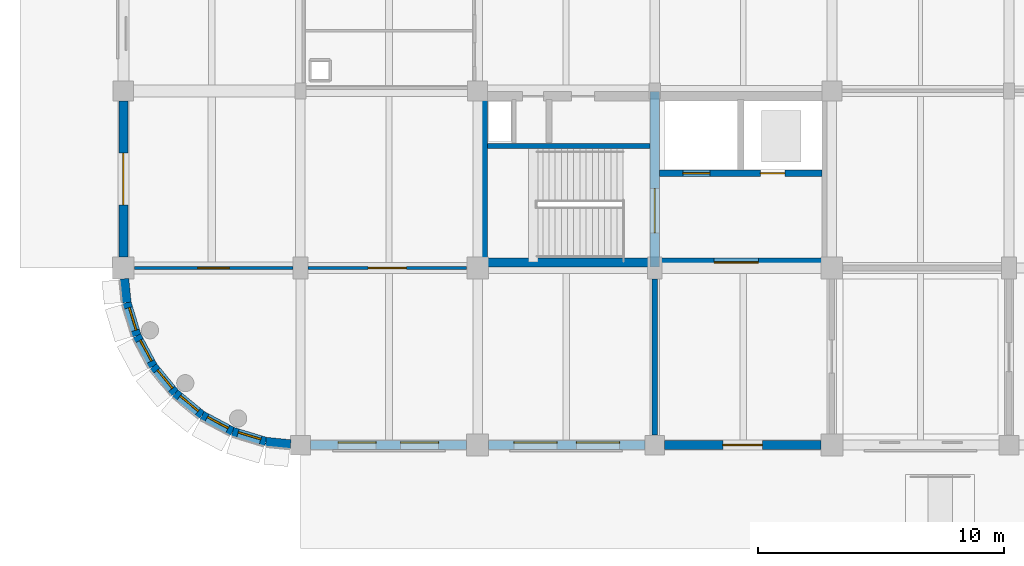
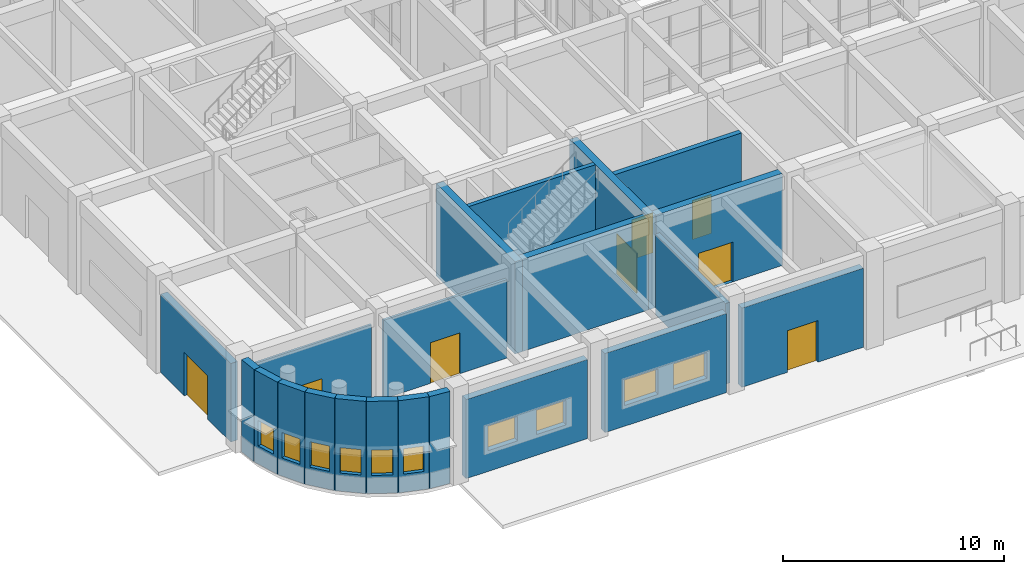
# One storey, part 133 of 160: 21 walls, 10 windows, 8 doors, 18 openings.
"""IFC4 building model written with IfcOpenShell, lengths in metres."""

from ifc_helpers import new_model, si_unit, direction, frame, frame_2d, origin, place, context, subcontext, project, spatial, rectangle, extrude, material, layer, layer_set, type_object, element, fill, save


model = new_model("IFC4")

# Units and contexts
model_context = context("Model", 3, precision=1e-05, world=origin(), true_north=direction((0.0, 1.0)))
body_context = subcontext(model_context, "Body", "Model", "MODEL_VIEW")
ifc_project = project(units=[si_unit("LENGTHUNIT", "METRE"), si_unit("AREAUNIT", "SQUARE_METRE"), si_unit("VOLUMEUNIT", "CUBIC_METRE"), si_unit("PLANEANGLEUNIT", "RADIAN"), si_unit("MASSUNIT", "GRAM", prefix="KILO")], contexts=[model_context])

# Site, building, storey
site_placement = place(None, origin())
site = spatial("IfcSite", under=ifc_project, at=site_placement, CompositionType="ELEMENT")
building_placement = place(site_placement, origin())
building = spatial("IfcBuilding", under=site, at=building_placement, Name="Thalmaran Polytechnic", CompositionType="ELEMENT")
storey_placement = place(building_placement, origin())
storey = spatial("IfcBuildingStorey", under=building, at=storey_placement, Name="L00", CompositionType="ELEMENT", Elevation=0.0)

# Wall
ifc_material_1 = material(Name="Precast concrete C40/50", Category="concrete")
ifc_layer_1 = layer(ifc_material_1, 0.360107421875, Name="Precast concrete C40/50")
ifc_layer_set_1 = layer_set([ifc_layer_1], Name="Precast concrete C40/50")
wall_type_1 = type_object("IfcWallType", Name="WL-EW01", PredefinedType="STANDARD", material=ifc_layer_set_1)
wall_1_placement = place(storey_placement, frame((0.138427734375, 5.79541015625, 0.0), z_axis=(0.0, 0.0, 1.0), x_axis=(-0.098010679686, 0.995185362969, 0.0)))
element("IfcWall", 1, at=wall_1_placement, inside=storey, type_object=wall_type_1, Name="Exterior Precast Facade Wall L00-001", PredefinedType="STANDARD", context=body_context, shape_type="SweptSolid", body=[
    extrude(rectangle(XDim=0.971435546875, YDim=0.360107421875, at=frame_2d((0.48583984375, 0.0))), origin(), (0.0, 0.0, 1.0), 5.090087890625),
])

# Wall, opening, door
wall_2_placement = place(storey_placement, frame((0.0, 7.639892578125, 0.0), z_axis=(0.0, 0.0, 1.0), x_axis=(0.0, 1.0, 0.0)))
wall_2 = element("IfcWall", 2, at=wall_2_placement, inside=storey, type_object=wall_type_1, Name="Ground Entrance Portal Wall L00-002", PredefinedType="STANDARD", context=body_context, shape_type="SweptSolid", body=[
    extrude(rectangle(XDim=6.35009765625, YDim=0.360107421875, at=frame_2d((3.175048828125, 0.0))), origin(), (0.0, 0.0, 1.0), 4.3349609375),
])
opening_1_placement = place(wall_2_placement, frame((2.125, 0.0, 0.0)))
opening_1 = element("IfcOpeningElement", 3, at=opening_1_placement, cuts=wall_2, Name="Opening ED-01", PredefinedType="OPENING", context=body_context, shape_type="SweptSolid", body=[
    extrude(rectangle(XDim=2.10009765625, YDim=2.39990234375, at=frame_2d((1.050048828125, 1.199951171875))), frame((0.0, 0.18994140625, 0.0), z_axis=(0.0, -1.0, 0.0), x_axis=(1.0, 0.0, 0.0)), (0.0, 0.0, 1.0), 0.380126953125),
])
ifc_material_2 = material(Name="Anodised aluminium and safety glass", Category="aluminium")
door_type_1 = type_object("IfcDoorType", Name="DR-ED01", OperationType="NOTDEFINED", PredefinedType="DOOR", material=ifc_material_2)
door_1_placement = place(opening_1_placement, origin())
door_1 = element("IfcDoor", 4, at=door_1_placement, inside=storey, type_object=door_type_1, Name="Pedestrian Final Exit Door ED-01", OperationType="DOUBLE_DOOR_SINGLE_SWING", OverallHeight=2.39990234375, OverallWidth=2.10009765625, PredefinedType="DOOR", context=body_context, shape_type="SweptSolid", body=[
    extrude(rectangle(XDim=2.10009765625, YDim=2.39990234375, at=frame_2d((1.050048828125, 1.199951171875))), frame((0.0, 0.02490234375, 0.0), z_axis=(0.0, -1.0, 0.0), x_axis=(1.0, 0.0, 0.0)), (0.0, 0.0, 1.0), 0.050048828125),
])
fill(opening_1, door_1)

wall_3_placement = place(storey_placement, frame((28.35009765625, 0.0, 0.0), z_axis=(0.0, 0.0, 1.0), x_axis=(-1.0, 0.0, 0.0)))
wall_3 = element("IfcWall", 5, at=wall_3_placement, inside=storey, type_object=wall_type_1, Name="Ground Entrance Portal Wall L00-089", PredefinedType="STANDARD", context=body_context, shape_type="SweptSolid", body=[
    extrude(rectangle(XDim=6.35009765625, YDim=0.360107421875, at=frame_2d((3.175048828125, 0.0))), origin(), (0.0, 0.0, 1.0), 4.3701171875),
])
opening_2_placement = place(wall_3_placement, frame((2.375, 0.0, 0.0)))
opening_2 = element("IfcOpeningElement", 6, at=opening_2_placement, cuts=wall_3, Name="Opening ED-27", PredefinedType="OPENING", context=body_context, shape_type="SweptSolid", body=[
    extrude(rectangle(XDim=1.60009765625, YDim=2.300048828125, at=frame_2d((0.800048828125, 1.14990234375))), frame((0.0, 0.18994140625, 0.0), z_axis=(0.0, -1.0, 0.0), x_axis=(1.0, 0.0, 0.0)), (0.0, 0.0, 1.0), 0.380126953125),
])
ifc_material_3 = material(Name="Powder-coated steel", Category="steel")
door_type_2 = type_object("IfcDoorType", Name="DR-ED03", OperationType="NOTDEFINED", PredefinedType="DOOR", material=ifc_material_3)
door_2_placement = place(opening_2_placement, origin())
door_2 = element("IfcDoor", 7, at=door_2_placement, inside=storey, type_object=door_type_2, Name="Pedestrian Final Exit Door ED-27", OperationType="DOUBLE_DOOR_SINGLE_SWING", OverallHeight=2.300048828125, OverallWidth=1.60009765625, PredefinedType="DOOR", context=body_context, shape_type="SweptSolid", body=[
    extrude(rectangle(XDim=1.60009765625, YDim=2.300048828125, at=frame_2d((0.800048828125, 1.14990234375))), frame((0.0, 0.02490234375, 0.0), z_axis=(0.0, -1.0, 0.0), x_axis=(1.0, 0.0, 0.0)), (0.0, 0.0, 1.0), 0.050048828125),
])
fill(opening_2, door_2)

# Wall, openings, windows
wall_4_placement = place(storey_placement, frame((21.199951171875, 0.0, 0.0), z_axis=(0.0, 0.0, 1.0), x_axis=(-1.0, 0.0, 0.0)))
wall_4 = element("IfcWall", 8, at=wall_4_placement, inside=storey, type_object=wall_type_1, Name="Exterior Precast Facade Wall L00-090", PredefinedType="STANDARD", context=body_context, shape_type="SweptSolid", body=[
    extrude(rectangle(XDim=6.349853515625, YDim=0.360107421875, at=frame_2d((3.1748046875, 0.0))), origin(), (0.0, 0.0, 1.0), 4.3701171875),
])
opening_3_placement = place(wall_4_placement, frame((1.030029296875, 0.0, 1.14990234375)))
opening_3 = element("IfcOpeningElement", 9, at=opening_3_placement, cuts=wall_4, Name="Opening VW08", PredefinedType="OPENING", context=body_context, shape_type="SweptSolid", body=[
    extrude(rectangle(XDim=1.75, YDim=1.39990234375, at=frame_2d((0.875, 0.699951171875))), frame((0.0, 0.18994140625, 0.0), z_axis=(0.0, -1.0, 0.0), x_axis=(1.0, 0.0, 0.0)), (0.0, 0.0, 1.0), 0.380126953125),
])
opening_4_placement = place(wall_4_placement, frame((3.570068359375, 0.0, 1.14990234375)))
opening_4 = element("IfcOpeningElement", 10, at=opening_4_placement, cuts=wall_4, Name="Opening VW08", PredefinedType="OPENING", context=body_context, shape_type="SweptSolid", body=[
    extrude(rectangle(XDim=1.75, YDim=1.39990234375, at=frame_2d((0.875, 0.699951171875))), frame((0.0, 0.18994140625, 0.0), z_axis=(0.0, -1.0, 0.0), x_axis=(1.0, 0.0, 0.0)), (0.0, 0.0, 1.0), 0.380126953125),
])
ifc_material_4 = material(Name="Thermally broken aluminium and double low-E glass", Category="aluminium")
window_type_1 = type_object("IfcWindowType", Name="WN-VZ08", PartitioningType="SINGLE_PANEL", PredefinedType="WINDOW", material=ifc_material_4)
window_1_placement = place(opening_3_placement, origin())
window_1 = element("IfcWindow", 11, at=window_1_placement, inside=storey, type_object=window_type_1, Name="Deep-Set Solar-Screened Window W-0056", OverallHeight=1.39990234375, OverallWidth=1.75, PartitioningType="SINGLE_PANEL", PredefinedType="WINDOW", context=body_context, shape_type="SweptSolid", body=[
    extrude(rectangle(XDim=1.75, YDim=1.39990234375, at=frame_2d((0.875, 0.699951171875))), frame((0.0, -0.080078125, 0.0), z_axis=(0.0, -1.0, 0.0), x_axis=(1.0, 0.0, 0.0)), (0.0, 0.0, 1.0), 0.06005859375),
])
fill(opening_3, window_1)
window_2_placement = place(opening_4_placement, origin())
window_2 = element("IfcWindow", 12, at=window_2_placement, inside=storey, type_object=window_type_1, Name="Deep-Set Solar-Screened Window W-0057", OverallHeight=1.39990234375, OverallWidth=1.75, PartitioningType="SINGLE_PANEL", PredefinedType="WINDOW", context=body_context, shape_type="SweptSolid", body=[
    extrude(rectangle(XDim=1.75, YDim=1.39990234375, at=frame_2d((0.875, 0.699951171875))), frame((0.0, -0.080078125, 0.0), z_axis=(0.0, -1.0, 0.0), x_axis=(1.0, 0.0, 0.0)), (0.0, 0.0, 1.0), 0.06005859375),
])
fill(opening_4, window_2)

wall_5_placement = place(storey_placement, frame((13.949951171875, 0.0, 0.0), z_axis=(0.0, 0.0, 1.0), x_axis=(-1.0, 0.0, 0.0)))
wall_5 = element("IfcWall", 13, at=wall_5_placement, inside=storey, type_object=wall_type_1, Name="Exterior Precast Facade Wall L00-091", PredefinedType="STANDARD", context=body_context, shape_type="SweptSolid", body=[
    extrude(rectangle(XDim=6.349853515625, YDim=0.360107421875, at=frame_2d((3.1748046875, 0.0))), origin(), (0.0, 0.0, 1.0), 4.3701171875),
])
opening_5_placement = place(wall_5_placement, frame((1.1298828125, 0.0, 1.14990234375)))
opening_5 = element("IfcOpeningElement", 14, at=opening_5_placement, cuts=wall_5, Name="Opening VW09", PredefinedType="OPENING", context=body_context, shape_type="SweptSolid", body=[
    extrude(rectangle(XDim=1.550048828125, YDim=1.35009765625, at=frame_2d((0.77490234375, 0.675048828125))), frame((0.0, 0.18994140625, 0.0), z_axis=(0.0, -1.0, 0.0), x_axis=(1.0, 0.0, 0.0)), (0.0, 0.0, 1.0), 0.380126953125),
])
opening_6_placement = place(wall_5_placement, frame((3.669921875, 0.0, 1.14990234375)))
opening_6 = element("IfcOpeningElement", 15, at=opening_6_placement, cuts=wall_5, Name="Opening VW09", PredefinedType="OPENING", context=body_context, shape_type="SweptSolid", body=[
    extrude(rectangle(XDim=1.550048828125, YDim=1.35009765625, at=frame_2d((0.77490234375, 0.675048828125))), frame((0.0, 0.18994140625, 0.0), z_axis=(0.0, -1.0, 0.0), x_axis=(1.0, 0.0, 0.0)), (0.0, 0.0, 1.0), 0.380126953125),
])
window_type_2 = type_object("IfcWindowType", Name="WN-VZ09", PartitioningType="SINGLE_PANEL", PredefinedType="WINDOW", material=ifc_material_4)
window_3_placement = place(opening_5_placement, origin())
window_3 = element("IfcWindow", 16, at=window_3_placement, inside=storey, type_object=window_type_2, Name="Deep-Set Solar-Screened Window W-0058", OverallHeight=1.35009765625, OverallWidth=1.550048828125, PartitioningType="SINGLE_PANEL", PredefinedType="WINDOW", context=body_context, shape_type="SweptSolid", body=[
    extrude(rectangle(XDim=1.550048828125, YDim=1.35009765625, at=frame_2d((0.77490234375, 0.675048828125))), frame((0.0, -0.080078125, 0.0), z_axis=(0.0, -1.0, 0.0), x_axis=(1.0, 0.0, 0.0)), (0.0, 0.0, 1.0), 0.06005859375),
])
fill(opening_5, window_3)
window_4_placement = place(opening_6_placement, origin())
window_4 = element("IfcWindow", 17, at=window_4_placement, inside=storey, type_object=window_type_2, Name="Deep-Set Solar-Screened Window W-0059", OverallHeight=1.35009765625, OverallWidth=1.550048828125, PartitioningType="SINGLE_PANEL", PredefinedType="WINDOW", context=body_context, shape_type="SweptSolid", body=[
    extrude(rectangle(XDim=1.550048828125, YDim=1.35009765625, at=frame_2d((0.77490234375, 0.675048828125))), frame((0.0, -0.080078125, 0.0), z_axis=(0.0, -1.0, 0.0), x_axis=(1.0, 0.0, 0.0)), (0.0, 0.0, 1.0), 0.06005859375),
])
fill(opening_6, window_4)

# Wall
wall_6_placement = place(storey_placement, frame((6.802001953125, 0.039306640625, 0.0), z_axis=(0.0, 0.0, 1.0), x_axis=(-0.9951866114, 0.097998002481, 0.0)))
element("IfcWall", 18, at=wall_6_placement, inside=storey, type_object=wall_type_1, Name="Exterior Precast Facade Wall L00-092", PredefinedType="STANDARD", context=body_context, shape_type="SweptSolid", body=[
    extrude(rectangle(XDim=1.011474609375, YDim=0.360107421875, at=frame_2d((0.505859375, 0.0))), origin(), (0.0, 0.0, 1.0), 5.090087890625),
])

# Wall, opening, window
wall_7_placement = place(storey_placement, frame((5.79541015625, 0.138427734375, 0.0), z_axis=(0.0, 0.0, 1.0), x_axis=(-0.95696037757, 0.290218599957, 0.0)))
wall_7 = element("IfcWall", 19, at=wall_7_placement, inside=storey, type_object=wall_type_1, Name="Exterior Precast Facade Wall L00-093", PredefinedType="STANDARD", context=body_context, shape_type="SweptSolid", body=[
    extrude(rectangle(XDim=1.41162109375, YDim=0.360107421875, at=frame_2d((0.705810546875, 0.0))), origin(), (0.0, 0.0, 1.0), 5.090087890625),
])
opening_7_placement = place(wall_7_placement, frame((0.2255859375, 0.0, 1.0)))
opening_7 = element("IfcOpeningElement", 20, at=opening_7_placement, cuts=wall_7, Name="Opening CR01", PredefinedType="OPENING", context=body_context, shape_type="SweptSolid", body=[
    extrude(rectangle(XDim=0.9599609375, YDim=1.39990234375, at=frame_2d((0.47998046875, 0.699951171875))), frame((0.0, 0.18994140625, 0.0), z_axis=(0.0, -1.0, 0.0), x_axis=(1.0, 0.0, 0.0)), (0.0, 0.0, 1.0), 0.380126953125),
])
window_type_3 = type_object("IfcWindowType", Name="WN-CR01", PartitioningType="SINGLE_PANEL", PredefinedType="WINDOW", material=ifc_material_4)
window_5_placement = place(opening_7_placement, origin())
window_5 = element("IfcWindow", 21, at=window_5_placement, inside=storey, type_object=window_type_3, Name="Curved Prow Ribbon Window W-0060", OverallHeight=1.39990234375, OverallWidth=0.9599609375, PartitioningType="SINGLE_PANEL", PredefinedType="WINDOW", context=body_context, shape_type="SweptSolid", body=[
    extrude(rectangle(XDim=0.9599609375, YDim=1.39990234375, at=frame_2d((0.47998046875, 0.699951171875))), frame((0.0, -0.010009765625, 0.0), z_axis=(0.0, -1.0, 0.0), x_axis=(1.0, 0.0, 0.0)), (0.0, 0.0, 1.0), 0.06005859375),
])
fill(opening_7, window_5)

wall_8_placement = place(storey_placement, frame((4.444580078125, 0.548095703125, 0.0), z_axis=(0.0, 0.0, 1.0), x_axis=(-0.881916788861, 0.471405109778, 0.0)))
wall_8 = element("IfcWall", 22, at=wall_8_placement, inside=storey, type_object=wall_type_1, Name="Exterior Precast Facade Wall L00-094", PredefinedType="STANDARD", context=body_context, shape_type="SweptSolid", body=[
    extrude(rectangle(XDim=1.411376953125, YDim=0.360107421875, at=frame_2d((0.70556640625, 0.0))), origin(), (0.0, 0.0, 1.0), 5.090087890625),
])
opening_8_placement = place(wall_8_placement, frame((0.2255859375, 0.0, 1.0)))
opening_8 = element("IfcOpeningElement", 23, at=opening_8_placement, cuts=wall_8, Name="Opening CR01", PredefinedType="OPENING", context=body_context, shape_type="SweptSolid", body=[
    extrude(rectangle(XDim=0.9599609375, YDim=1.39990234375, at=frame_2d((0.47998046875, 0.699951171875))), frame((0.0, 0.18994140625, 0.0), z_axis=(0.0, -1.0, 0.0), x_axis=(1.0, 0.0, 0.0)), (0.0, 0.0, 1.0), 0.380126953125),
])
window_6_placement = place(opening_8_placement, origin())
window_6 = element("IfcWindow", 24, at=window_6_placement, inside=storey, type_object=window_type_3, Name="Curved Prow Ribbon Window W-0061", OverallHeight=1.39990234375, OverallWidth=0.9599609375, PartitioningType="SINGLE_PANEL", PredefinedType="WINDOW", context=body_context, shape_type="SweptSolid", body=[
    extrude(rectangle(XDim=0.9599609375, YDim=1.39990234375, at=frame_2d((0.47998046875, 0.699951171875))), frame((0.0, -0.010009765625, 0.0), z_axis=(0.0, -1.0, 0.0), x_axis=(1.0, 0.0, 0.0)), (0.0, 0.0, 1.0), 0.06005859375),
])
fill(opening_8, window_6)

wall_9_placement = place(storey_placement, frame((3.199951171875, 1.21337890625, 0.0), z_axis=(0.0, 0.0, 1.0), x_axis=(-0.772977670605, 0.634433227965, 0.0)))
wall_9 = element("IfcWall", 25, at=wall_9_placement, inside=storey, type_object=wall_type_1, Name="Exterior Precast Facade Wall L00-095", PredefinedType="STANDARD", context=body_context, shape_type="SweptSolid", body=[
    extrude(rectangle(XDim=1.41162109375, YDim=0.360107421875, at=frame_2d((0.705810546875, 0.0))), origin(), (0.0, 0.0, 1.0), 5.090087890625),
])
opening_9_placement = place(wall_9_placement, frame((0.2255859375, 0.0, 1.0)))
opening_9 = element("IfcOpeningElement", 26, at=opening_9_placement, cuts=wall_9, Name="Opening CR01", PredefinedType="OPENING", context=body_context, shape_type="SweptSolid", body=[
    extrude(rectangle(XDim=0.9599609375, YDim=1.39990234375, at=frame_2d((0.47998046875, 0.699951171875))), frame((0.0, 0.18994140625, 0.0), z_axis=(0.0, -1.0, 0.0), x_axis=(1.0, 0.0, 0.0)), (0.0, 0.0, 1.0), 0.380126953125),
])
window_7_placement = place(opening_9_placement, origin())
window_7 = element("IfcWindow", 27, at=window_7_placement, inside=storey, type_object=window_type_3, Name="Curved Prow Ribbon Window W-0062", OverallHeight=1.39990234375, OverallWidth=0.9599609375, PartitioningType="SINGLE_PANEL", PredefinedType="WINDOW", context=body_context, shape_type="SweptSolid", body=[
    extrude(rectangle(XDim=0.9599609375, YDim=1.39990234375, at=frame_2d((0.47998046875, 0.699951171875))), frame((0.0, -0.010009765625, 0.0), z_axis=(0.0, -1.0, 0.0), x_axis=(1.0, 0.0, 0.0)), (0.0, 0.0, 1.0), 0.06005859375),
])
fill(opening_9, window_7)

wall_10_placement = place(storey_placement, frame((2.10888671875, 2.10888671875, 0.0), z_axis=(0.0, 0.0, 1.0), x_axis=(-0.634433227965, 0.772977670605, 0.0)))
wall_10 = element("IfcWall", 28, at=wall_10_placement, inside=storey, type_object=wall_type_1, Name="Exterior Precast Facade Wall L00-096", PredefinedType="STANDARD", context=body_context, shape_type="SweptSolid", body=[
    extrude(rectangle(XDim=1.41162109375, YDim=0.360107421875, at=frame_2d((0.705810546875, 0.0))), origin(), (0.0, 0.0, 1.0), 5.090087890625),
])
opening_10_placement = place(wall_10_placement, frame((0.2255859375, 0.0, 1.0)))
opening_10 = element("IfcOpeningElement", 29, at=opening_10_placement, cuts=wall_10, Name="Opening CR01", PredefinedType="OPENING", context=body_context, shape_type="SweptSolid", body=[
    extrude(rectangle(XDim=0.9599609375, YDim=1.39990234375, at=frame_2d((0.47998046875, 0.699951171875))), frame((0.0, 0.18994140625, 0.0), z_axis=(0.0, -1.0, 0.0), x_axis=(1.0, 0.0, 0.0)), (0.0, 0.0, 1.0), 0.380126953125),
])
window_8_placement = place(opening_10_placement, origin())
window_8 = element("IfcWindow", 30, at=window_8_placement, inside=storey, type_object=window_type_3, Name="Curved Prow Ribbon Window W-0063", OverallHeight=1.39990234375, OverallWidth=0.9599609375, PartitioningType="SINGLE_PANEL", PredefinedType="WINDOW", context=body_context, shape_type="SweptSolid", body=[
    extrude(rectangle(XDim=0.9599609375, YDim=1.39990234375, at=frame_2d((0.47998046875, 0.699951171875))), frame((0.0, -0.010009765625, 0.0), z_axis=(0.0, -1.0, 0.0), x_axis=(1.0, 0.0, 0.0)), (0.0, 0.0, 1.0), 0.06005859375),
])
fill(opening_10, window_8)

wall_11_placement = place(storey_placement, frame((1.21337890625, 3.199951171875, 0.0), z_axis=(0.0, 0.0, 1.0), x_axis=(-0.471405109778, 0.881916788861, 0.0)))
wall_11 = element("IfcWall", 31, at=wall_11_placement, inside=storey, type_object=wall_type_1, Name="Exterior Precast Facade Wall L00-097", PredefinedType="STANDARD", context=body_context, shape_type="SweptSolid", body=[
    extrude(rectangle(XDim=1.411376953125, YDim=0.360107421875, at=frame_2d((0.70556640625, 0.0))), origin(), (0.0, 0.0, 1.0), 5.090087890625),
])
opening_11_placement = place(wall_11_placement, frame((0.2255859375, 0.0, 1.0)))
opening_11 = element("IfcOpeningElement", 32, at=opening_11_placement, cuts=wall_11, Name="Opening CR01", PredefinedType="OPENING", context=body_context, shape_type="SweptSolid", body=[
    extrude(rectangle(XDim=0.9599609375, YDim=1.39990234375, at=frame_2d((0.47998046875, 0.699951171875))), frame((0.0, 0.18994140625, 0.0), z_axis=(0.0, -1.0, 0.0), x_axis=(1.0, 0.0, 0.0)), (0.0, 0.0, 1.0), 0.380126953125),
])
window_9_placement = place(opening_11_placement, origin())
window_9 = element("IfcWindow", 33, at=window_9_placement, inside=storey, type_object=window_type_3, Name="Curved Prow Ribbon Window W-0064", OverallHeight=1.39990234375, OverallWidth=0.9599609375, PartitioningType="SINGLE_PANEL", PredefinedType="WINDOW", context=body_context, shape_type="SweptSolid", body=[
    extrude(rectangle(XDim=0.9599609375, YDim=1.39990234375, at=frame_2d((0.47998046875, 0.699951171875))), frame((0.0, -0.010009765625, 0.0), z_axis=(0.0, -1.0, 0.0), x_axis=(1.0, 0.0, 0.0)), (0.0, 0.0, 1.0), 0.06005859375),
])
fill(opening_11, window_9)

wall_12_placement = place(storey_placement, frame((0.548095703125, 4.444580078125, 0.0), z_axis=(0.0, 0.0, 1.0), x_axis=(-0.290218599957, 0.95696037757, 0.0)))
wall_12 = element("IfcWall", 34, at=wall_12_placement, inside=storey, type_object=wall_type_1, Name="Exterior Precast Facade Wall L00-098", PredefinedType="STANDARD", context=body_context, shape_type="SweptSolid", body=[
    extrude(rectangle(XDim=1.41162109375, YDim=0.360107421875, at=frame_2d((0.705810546875, 0.0))), origin(), (0.0, 0.0, 1.0), 5.090087890625),
])
opening_12_placement = place(wall_12_placement, frame((0.2255859375, 0.0, 1.0)))
opening_12 = element("IfcOpeningElement", 35, at=opening_12_placement, cuts=wall_12, Name="Opening CR01", PredefinedType="OPENING", context=body_context, shape_type="SweptSolid", body=[
    extrude(rectangle(XDim=0.9599609375, YDim=1.39990234375, at=frame_2d((0.47998046875, 0.699951171875))), frame((0.0, 0.18994140625, 0.0), z_axis=(0.0, -1.0, 0.0), x_axis=(1.0, 0.0, 0.0)), (0.0, 0.0, 1.0), 0.380126953125),
])
window_10_placement = place(opening_12_placement, origin())
window_10 = element("IfcWindow", 36, at=window_10_placement, inside=storey, type_object=window_type_3, Name="Curved Prow Ribbon Window W-0065", OverallHeight=1.39990234375, OverallWidth=0.9599609375, PartitioningType="SINGLE_PANEL", PredefinedType="WINDOW", context=body_context, shape_type="SweptSolid", body=[
    extrude(rectangle(XDim=0.9599609375, YDim=1.39990234375, at=frame_2d((0.47998046875, 0.699951171875))), frame((0.0, -0.010009765625, 0.0), z_axis=(0.0, -1.0, 0.0), x_axis=(1.0, 0.0, 0.0)), (0.0, 0.0, 1.0), 0.06005859375),
])
fill(opening_12, window_10)

# Wall
ifc_material_5 = material(Name="Autoclaved aerated masonry", Category="masonry")
ifc_layer_2 = layer(ifc_material_5, 0.22998046875, Name="Autoclaved aerated masonry")
ifc_layer_set_2 = layer_set([ifc_layer_2], Name="Autoclaved aerated masonry")
wall_type_2 = type_object("IfcWallType", Name="WL-IW02", PredefinedType="PARTITIONING", material=ifc_layer_set_2)
wall_13_placement = place(storey_placement, frame((21.60009765625, 0.405029296875, 0.0), z_axis=(0.0, 0.0, 1.0), x_axis=(0.0, 1.0, 0.0)))
element("IfcWall", 37, at=wall_13_placement, inside=storey, type_object=wall_type_2, Name="Interior Partition IW02 L00-030", PredefinedType="PARTITIONING", context=body_context, shape_type="SweptSolid", body=[
    extrude(rectangle(XDim=6.340087890625, YDim=0.22998046875, at=frame_2d((3.169921875, 0.0))), origin(), (0.0, 0.0, 1.0), 4.455078125),
])

# Wall, opening, door
ifc_material_6 = material(Name="Gypsum acoustic partition")
ifc_layer_3 = layer(ifc_material_6, 0.1298828125, Name="Gypsum acoustic partition")
ifc_layer_set_3 = layer_set([ifc_layer_3], Name="Gypsum acoustic partition")
wall_type_3 = type_object("IfcWallType", Name="WL-IW07", PredefinedType="PARTITIONING", material=ifc_layer_set_3)
wall_14_placement = place(storey_placement, frame((7.5048828125, 7.199951171875, 0.0), z_axis=(0.0, 0.0, 1.0), x_axis=(1.0, 0.0, 0.0)))
wall_14 = element("IfcWall", 38, at=wall_14_placement, inside=storey, type_object=wall_type_3, Name="Interior Partition IW07 L00-014", PredefinedType="PARTITIONING", context=body_context, shape_type="SweptSolid", body=[
    extrude(rectangle(XDim=6.4501953125, YDim=0.1298828125, at=frame_2d((3.22509765625, 0.0))), origin(), (0.0, 0.0, 1.0), 4.340087890625),
])
opening_13_placement = place(wall_14_placement, frame((2.445068359375, 0.0, 0.0)))
opening_13 = element("IfcOpeningElement", 39, at=opening_13_placement, cuts=wall_14, Name="Opening D-L00-048--BKS-1", PredefinedType="OPENING", context=body_context, shape_type="SweptSolid", body=[
    extrude(rectangle(XDim=1.56005859375, YDim=2.25, at=frame_2d((0.780029296875, 1.125))), frame((0.0, 0.074951171875, 0.0), z_axis=(0.0, -1.0, 0.0), x_axis=(1.0, 0.0, 0.0)), (0.0, 0.0, 1.0), 0.14990234375),
])
ifc_material_7 = material(Name="Acoustic hardwood and vision glass", Category="wood")
door_type_3 = type_object("IfcDoorType", Name="DR-ZD03", OperationType="NOTDEFINED", PredefinedType="DOOR", material=ifc_material_7)
door_3_placement = place(opening_13_placement, origin())
door_3 = element("IfcDoor", 40, at=door_3_placement, inside=storey, type_object=door_type_3, Name="Campus Bookshop and Entrance Foyer Door 1", OperationType="SINGLE_SWING_RIGHT", OverallHeight=2.25, OverallWidth=1.56005859375, PredefinedType="DOOR", context=body_context, shape_type="SweptSolid", body=[
    extrude(rectangle(XDim=1.56005859375, YDim=2.25, at=frame_2d((0.780029296875, 1.125))), frame((0.0, 0.02490234375, 0.0), z_axis=(0.0, -1.0, 0.0), x_axis=(1.0, 0.0, 0.0)), (0.0, 0.0, 1.0), 0.050048828125),
])
fill(opening_13, door_3)

ifc_layer_4 = layer(ifc_material_6, 0.114990234375, Name="Gypsum acoustic partition")
ifc_layer_set_4 = layer_set([ifc_layer_4], Name="Gypsum acoustic partition")
wall_type_4 = type_object("IfcWallType", Name="WL-IW08", PredefinedType="PARTITIONING", material=ifc_layer_set_4)
wall_15_placement = place(storey_placement, frame((0.445068359375, 7.199951171875, 0.0), z_axis=(0.0, 0.0, 1.0), x_axis=(1.0, 0.0, 0.0)))
wall_15 = element("IfcWall", 41, at=wall_15_placement, inside=storey, type_object=wall_type_4, Name="Interior Partition IW08 L00-001", PredefinedType="PARTITIONING", context=body_context, shape_type="SweptSolid", body=[
    extrude(rectangle(XDim=6.449951171875, YDim=0.114990234375, at=frame_2d((3.22509765625, 0.0))), origin(), (0.0, 0.0, 1.0), 4.31005859375),
])
opening_14_placement = place(wall_15_placement, frame((2.5849609375, 0.0, 0.0)))
opening_14 = element("IfcOpeningElement", 42, at=opening_14_placement, cuts=wall_15, Name="Opening D-L00-016-1-01-1", PredefinedType="OPENING", context=body_context, shape_type="SweptSolid", body=[
    extrude(rectangle(XDim=1.280029296875, YDim=2.239990234375, at=frame_2d((0.64013671875, 1.1201171875))), frame((0.0, 0.0673828125, 0.0), z_axis=(0.0, -1.0, 0.0), x_axis=(1.0, 0.0, 0.0)), (0.0, 0.0, 1.0), 0.135009765625),
])
ifc_material_8 = material(Name="Powder-coated fire-rated steel", Category="steel")
door_type_4 = type_object("IfcDoorType", Name="DR-ZD10", OperationType="NOTDEFINED", PredefinedType="DOOR", material=ifc_material_8)
door_4_placement = place(opening_14_placement, origin())
door_4 = element("IfcDoor", 43, at=door_4_placement, inside=storey, type_object=door_type_4, Name="Architecture Design Studio L00-01 Door 1", OperationType="SINGLE_SWING_LEFT", OverallHeight=2.239990234375, OverallWidth=1.280029296875, PredefinedType="DOOR", context=body_context, shape_type="SweptSolid", body=[
    extrude(rectangle(XDim=1.280029296875, YDim=2.239990234375, at=frame_2d((0.64013671875, 1.1201171875))), frame((0.0, 0.02490234375, 0.0), z_axis=(0.0, -1.0, 0.0), x_axis=(1.0, 0.0, 0.0)), (0.0, 0.0, 1.0), 0.050048828125),
])
fill(opening_14, door_4)

# Walls
ifc_material_9 = material(Name="Concrete C50/60", Category="concrete")
ifc_layer_5 = layer(ifc_material_9, 0.3798828125, Name="Concrete C50/60")
ifc_layer_set_5 = layer_set([ifc_layer_5], Name="Concrete C50/60")
wall_type_5 = type_object("IfcWallType", Name="WL-SW02", PredefinedType="SHEAR", material=ifc_layer_set_5)
wall_16_placement = place(storey_placement, frame((14.81005859375, 7.419921875, 0.0), z_axis=(0.0, 0.0, 1.0), x_axis=(1.0, 0.0, 0.0)))
element("IfcWall", 44, at=wall_16_placement, inside=storey, type_object=wall_type_5, Name="Core C1 South Shear Wall L00", PredefinedType="SHEAR", context=body_context, shape_type="SweptSolid", body=[
    extrude(rectangle(XDim=6.599853515625, YDim=0.3798828125, at=frame_2d((3.2998046875, 0.0))), origin(), (0.0, 0.0, 1.0), 5.090087890625),
])
wall_17_placement = place(storey_placement, frame((14.6201171875, 14.3701171875, 0.0), z_axis=(0.0, 0.0, 1.0), x_axis=(0.0, -1.0, 0.0)))
element("IfcWall", 45, at=wall_17_placement, inside=storey, type_object=wall_type_5, Name="Core C1 West Shear Wall L00", PredefinedType="SHEAR", context=body_context, shape_type="SweptSolid", body=[
    extrude(rectangle(XDim=7.14013671875, YDim=0.3798828125, at=frame_2d((3.570068359375, 0.0))), origin(), (0.0, 0.0, 1.0), 5.090087890625),
])
wall_18_placement = place(storey_placement, frame((14.81005859375, 12.159912109375, 0.0), z_axis=(0.0, 0.0, 1.0), x_axis=(1.0, 0.0, 0.0)))
element("IfcWall", 46, at=wall_18_placement, inside=storey, type_object=wall_type_5, Name="Core C1 Stair Partition L00", PredefinedType="SHEAR", context=body_context, shape_type="SweptSolid", body=[
    extrude(rectangle(XDim=6.599853515625, YDim=0.219970703125, at=frame_2d((3.2998046875, 0.0))), origin(), (0.0, 0.0, 1.0), 5.090087890625),
])

# Wall, opening, door
wall_19_placement = place(storey_placement, frame((21.60009765625, 7.22998046875, 0.0), z_axis=(0.0, 0.0, 1.0), x_axis=(0.0, 1.0, 0.0)))
wall_19 = element("IfcWall", 47, at=wall_19_placement, inside=storey, type_object=wall_type_5, Name="Core C1 Stair-Lobby Dividing Shear Wall L00", PredefinedType="SHEAR", context=body_context, shape_type="SweptSolid", body=[
    extrude(rectangle(XDim=7.14013671875, YDim=0.3798828125, at=frame_2d((3.570068359375, 0.0))), origin(), (0.0, 0.0, 1.0), 5.090087890625),
])
opening_15_placement = place(wall_19_placement, frame((1.39990234375, 0.0, 0.0)))
opening_15 = element("IfcOpeningElement", 48, at=opening_15_placement, cuts=wall_19, Name="Opening SD-ST1-L00", PredefinedType="OPENING", context=body_context, shape_type="SweptSolid", body=[
    extrude(rectangle(XDim=1.800048828125, YDim=2.199951171875, at=frame_2d((0.89990234375, 1.10009765625))), frame((0.0, 0.199951171875, 0.0), z_axis=(0.0, -1.0, 0.0), x_axis=(1.0, 0.0, 0.0)), (0.0, 0.0, 1.0), 0.39990234375),
])
door_type_5 = type_object("IfcDoorType", Name="DR-FD03", OperationType="NOTDEFINED", PredefinedType="DOOR", material=ifc_material_8)
door_5_placement = place(opening_15_placement, frame((1.800048828125, 0.0, 0.0), z_axis=(0.0, 0.0, 1.0), x_axis=(-1.0, 0.0, 0.0)))
door_5 = element("IfcDoor", 49, at=door_5_placement, inside=storey, type_object=door_type_5, Name="Firefighting Lobby to Exit Stair Door ST1 L00", OperationType="SINGLE_SWING_LEFT", OverallHeight=2.199951171875, OverallWidth=1.800048828125, PredefinedType="DOOR", context=body_context, shape_type="SweptSolid", body=[
    extrude(rectangle(XDim=1.800048828125, YDim=2.199951171875, at=frame_2d((0.89990234375, 1.10009765625))), frame((0.0, 0.02490234375, 0.0), z_axis=(0.0, -1.0, 0.0), x_axis=(1.0, 0.0, 0.0)), (0.0, 0.0, 1.0), 0.050048828125),
])
fill(opening_15, door_5)

wall_20_placement = place(storey_placement, frame((21.7900390625, 7.419921875, 0.0), z_axis=(0.0, 0.0, 1.0), x_axis=(1.0, 0.0, 0.0)))
wall_20 = element("IfcWall", 50, at=wall_20_placement, inside=storey, type_object=wall_type_5, Name="Core C1 Lobby South Wall L00", PredefinedType="SHEAR", context=body_context, shape_type="SweptSolid", body=[
    extrude(rectangle(XDim=6.599853515625, YDim=0.3798828125, at=frame_2d((3.2998046875, 0.0))), origin(), (0.0, 0.0, 1.0), 5.090087890625),
])
opening_16_placement = place(wall_20_placement, frame((2.219970703125, 0.0, 0.0)))
opening_16 = element("IfcOpeningElement", 51, at=opening_16_placement, cuts=wall_20, Name="Opening FD-C1-L00", PredefinedType="OPENING", context=body_context, shape_type="SweptSolid", body=[
    extrude(rectangle(XDim=1.800048828125, YDim=2.199951171875, at=frame_2d((0.89990234375, 1.10009765625))), frame((0.0, 0.199951171875, 0.0), z_axis=(0.0, -1.0, 0.0), x_axis=(1.0, 0.0, 0.0)), (0.0, 0.0, 1.0), 0.39990234375),
])
door_type_6 = type_object("IfcDoorType", Name="DR-FD01", OperationType="NOTDEFINED", PredefinedType="DOOR", material=ifc_material_8)
door_6_placement = place(opening_16_placement, frame((1.800048828125, 0.0, 0.0), z_axis=(0.0, 0.0, 1.0), x_axis=(-1.0, 0.0, 0.0)))
door_6 = element("IfcDoor", 52, at=door_6_placement, inside=storey, type_object=door_type_6, Name="Firefighting Lift Lobby Entrance Door C1 L00", OperationType="DOUBLE_DOOR_SINGLE_SWING", OverallHeight=2.199951171875, OverallWidth=1.800048828125, PredefinedType="DOOR", context=body_context, shape_type="SweptSolid", body=[
    extrude(rectangle(XDim=1.800048828125, YDim=2.199951171875, at=frame_2d((0.89990234375, 1.10009765625))), frame((0.0, 0.02490234375, 0.0), z_axis=(0.0, -1.0, 0.0), x_axis=(1.0, 0.0, 0.0)), (0.0, 0.0, 1.0), 0.050048828125),
])
fill(opening_16, door_6)

# Wall, openings, doors
wall_21_placement = place(storey_placement, frame((21.7900390625, 11.050048828125, 0.0), z_axis=(0.0, 0.0, 1.0), x_axis=(1.0, 0.0, 0.0)))
wall_21 = element("IfcWall", 53, at=wall_21_placement, inside=storey, type_object=wall_type_5, Name="Core C1 Lift Landing Front Wall L00", PredefinedType="SHEAR", context=body_context, shape_type="SweptSolid", body=[
    extrude(rectangle(XDim=6.599853515625, YDim=0.260009765625, at=frame_2d((3.2998046875, 0.0))), origin(), (0.0, 0.0, 1.0), 5.090087890625),
])
opening_17_placement = place(wall_21_placement, frame((0.949951171875, 0.0, 0.0)))
opening_17 = element("IfcOpeningElement", 54, at=opening_17_placement, cuts=wall_21, Name="Opening LD-FL-01-L00", PredefinedType="OPENING", context=body_context, shape_type="SweptSolid", body=[
    extrude(rectangle(XDim=1.10009765625, YDim=2.199951171875, at=frame_2d((0.550048828125, 1.10009765625))), frame((0.0, 0.139892578125, 0.0), z_axis=(0.0, -1.0, 0.0), x_axis=(1.0, 0.0, 0.0)), (0.0, 0.0, 1.0), 0.280029296875),
])
opening_18_placement = place(wall_21_placement, frame((4.10009765625, 0.0, 0.0)))
opening_18 = element("IfcOpeningElement", 55, at=opening_18_placement, cuts=wall_21, Name="Opening LD-PL-01-L00", PredefinedType="OPENING", context=body_context, shape_type="SweptSolid", body=[
    extrude(rectangle(XDim=1.0, YDim=2.14990234375, at=frame_2d((0.5, 1.074951171875))), frame((0.0, 0.139892578125, 0.0), z_axis=(0.0, -1.0, 0.0), x_axis=(1.0, 0.0, 0.0)), (0.0, 0.0, 1.0), 0.280029296875),
])
ifc_material_10 = material(Name="Brushed stainless steel lift door", Category="steel")
door_type_7 = type_object("IfcDoorType", Name="DR-LD01", OperationType="NOTDEFINED", PredefinedType="DOOR", material=ifc_material_10)
door_7_placement = place(opening_17_placement, origin())
door_7 = element("IfcDoor", 56, at=door_7_placement, inside=storey, type_object=door_type_7, Name="Lift Landing Door FL-01 L00", OperationType="SLIDING_TO_LEFT", OverallHeight=2.199951171875, OverallWidth=1.10009765625, PredefinedType="DOOR", context=body_context, shape_type="SweptSolid", body=[
    extrude(rectangle(XDim=1.10009765625, YDim=2.199951171875, at=frame_2d((0.550048828125, 1.10009765625))), frame((0.0, 0.02490234375, 0.0), z_axis=(0.0, -1.0, 0.0), x_axis=(1.0, 0.0, 0.0)), (0.0, 0.0, 1.0), 0.050048828125),
])
fill(opening_17, door_7)
door_type_8 = type_object("IfcDoorType", Name="DR-LD02", OperationType="NOTDEFINED", PredefinedType="DOOR", material=ifc_material_10)
door_8_placement = place(opening_18_placement, origin())
door_8 = element("IfcDoor", 57, at=door_8_placement, inside=storey, type_object=door_type_8, Name="Lift Landing Door PL-01 L00", OperationType="SLIDING_TO_RIGHT", OverallHeight=2.14990234375, OverallWidth=1.0, PredefinedType="DOOR", context=body_context, shape_type="SweptSolid", body=[
    extrude(rectangle(XDim=1.0, YDim=2.14990234375, at=frame_2d((0.5, 1.074951171875))), frame((0.0, 0.02490234375, 0.0), z_axis=(0.0, -1.0, 0.0), x_axis=(1.0, 0.0, 0.0)), (0.0, 0.0, 1.0), 0.050048828125),
])
fill(opening_18, door_8)

save(model, "model.ifc")
